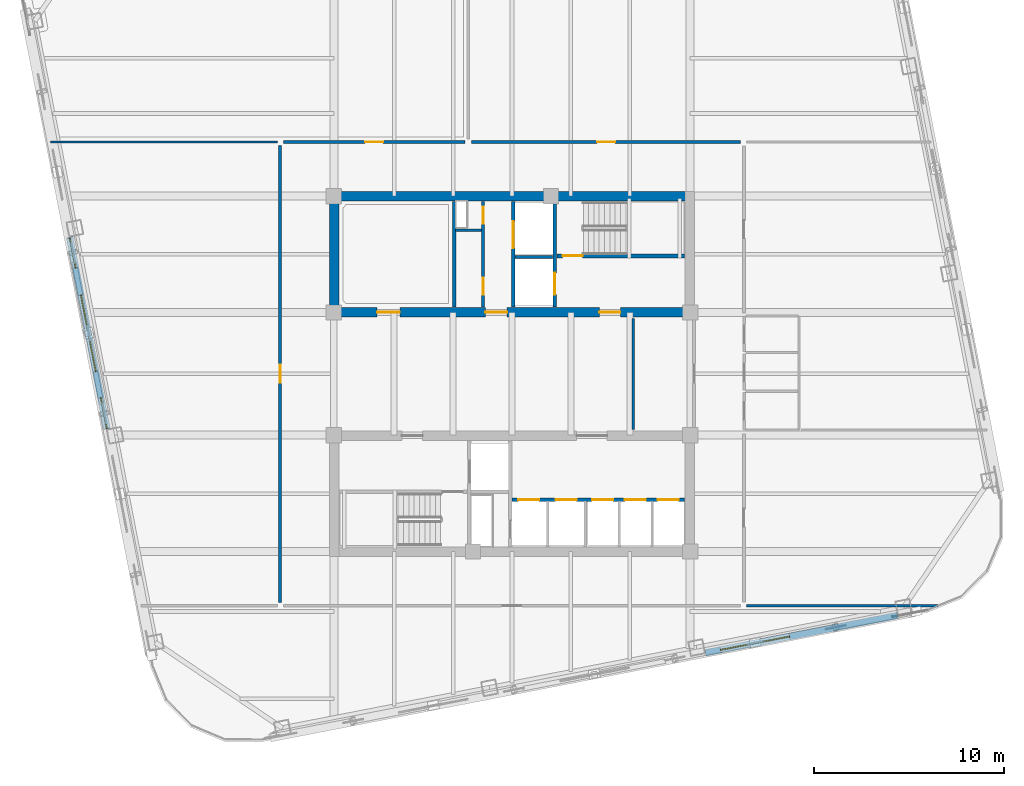
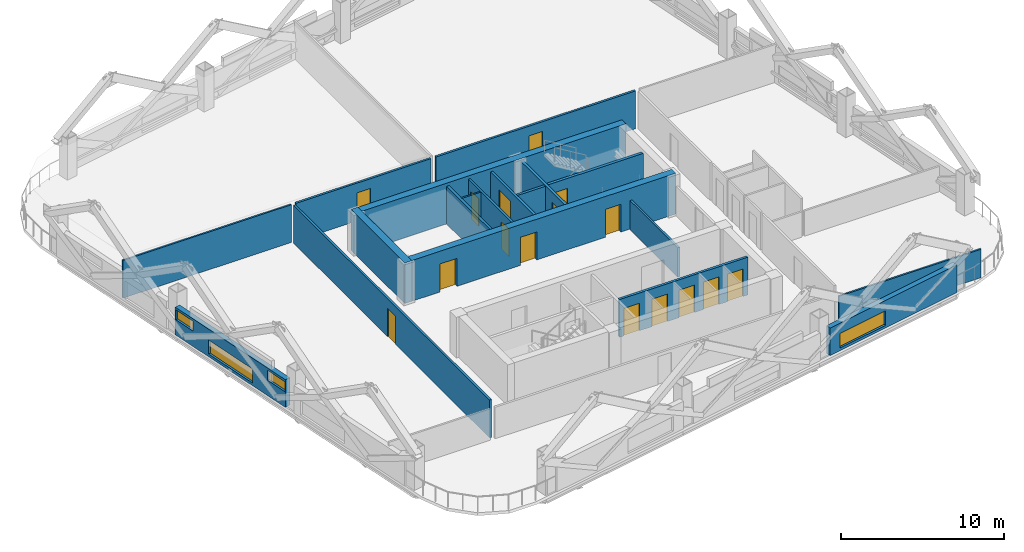
# One storey, part 5 of 10: 19 walls, 16 doors, 4 windows, 20 openings.
"""IFC4 building model written with IfcOpenShell, lengths in metres."""

from ifc_helpers import new_model, si_unit, direction, frame, frame_2d, origin, place, context, subcontext, project, spatial, rectangle, extrude, material, layer, layer_set, type_object, element, fill, save


model = new_model("IFC4")

# Units and contexts
model_context = context("Model", 3, precision=1e-05, world=origin(), true_north=direction((0.0, 1.0)))
body_context = subcontext(model_context, "Body", "Model", "MODEL_VIEW")
ifc_project = project(units=[si_unit("LENGTHUNIT", "METRE"), si_unit("AREAUNIT", "SQUARE_METRE"), si_unit("VOLUMEUNIT", "CUBIC_METRE"), si_unit("PLANEANGLEUNIT", "RADIAN"), si_unit("MASSUNIT", "GRAM", prefix="KILO")], contexts=[model_context])

# Site, building, storey
site_placement = place(None, origin())
site = spatial("IfcSite", under=ifc_project, at=site_placement, CompositionType="ELEMENT")
building_placement = place(site_placement, origin())
building = spatial("IfcBuilding", under=site, at=building_placement, Name="Qhalaya Broadcast Tower", CompositionType="ELEMENT")
storey_placement = place(building_placement, frame((0.0, 0.0, 118.89990234375)))
storey = spatial("IfcBuildingStorey", under=building, at=storey_placement, Name="L34", CompositionType="ELEMENT", Elevation=118.89990234375)

# Wall, openings, doors
ifc_material_1 = material(Name="Gypsum Acoustic Partition")
ifc_layer_1 = layer(ifc_material_1, 0.14990234375, Name="Gypsum Acoustic Partition")
ifc_layer_set_1 = layer_set([ifc_layer_1], Name="Gypsum Acoustic Partition")
wall_type_1 = type_object("IfcWallType", Name="Corridor & Tenancy Acoustic Partition 150", PredefinedType="PARTITIONING", material=ifc_layer_set_1)
wall_1_placement = place(storey_placement, frame((-1.52001953125, 4.1201171875, 0.0), z_axis=(0.0, 0.0, 1.0), x_axis=(0.0, 1.0, 0.0)))
wall_1 = element("IfcWall", 1, at=wall_1_placement, inside=storey, type_object=wall_type_1, Name="L34 Partition Wall NCW-SVL", PredefinedType="PARTITIONING", context=body_context, shape_type="SweptSolid", body=[
    extrude(rectangle(XDim=5.559814453125, YDim=0.14990234375, at=frame_2d((2.77978515625, 0.0))), origin(), (0.0, 0.0, 1.0), 2.830078125),
])
opening_1_placement = place(wall_1_placement, frame((4.3798828125, 0.0, 0.0)))
opening_1 = element("IfcOpeningElement", 2, at=opening_1_placement, cuts=wall_1, Name="Opening D06", PredefinedType="OPENING", context=body_context, shape_type="SweptSolid", body=[
    extrude(rectangle(XDim=0.89990234375, YDim=2.050048828125, at=frame_2d((0.449951171875, 1.02490234375))), frame((0.0, 0.0869140625, 0.0), z_axis=(0.0, -1.0, 0.0), x_axis=(1.0, 0.0, 0.0)), (0.0, 0.0, 1.0), 0.173828125),
])
opening_2_placement = place(wall_1_placement, frame((0.64990234375, 0.0, 0.0)))
opening_2 = element("IfcOpeningElement", 3, at=opening_2_placement, cuts=wall_1, Name="Opening D06", PredefinedType="OPENING", context=body_context, shape_type="SweptSolid", body=[
    extrude(rectangle(XDim=0.89990234375, YDim=2.050048828125, at=frame_2d((0.449951171875, 1.02490234375))), frame((0.0, 0.0869140625, 0.0), z_axis=(0.0, -1.0, 0.0), x_axis=(1.0, 0.0, 0.0)), (0.0, 0.0, 1.0), 0.173828125),
])
ifc_material_2 = material(Name="Fire-Rated Steel Door", Category="steel")
door_type_1 = type_object("IfcDoorType", Name="Riser & Electrical Shaft Access Door D06", OperationType="NOTDEFINED", PredefinedType="DOOR", material=ifc_material_2)
door_1_placement = place(opening_1_placement, origin())
door_1 = element("IfcDoor", 4, at=door_1_placement, inside=storey, type_object=door_type_1, Name="L34 Riser Shaft Access Door D-NRSR", OperationType="SINGLE_SWING_RIGHT", OverallHeight=2.050048828125, OverallWidth=0.89990234375, PredefinedType="DOOR", context=body_context, shape_type="SweptSolid", body=[
    extrude(rectangle(XDim=0.89990234375, YDim=2.050048828125, at=frame_2d((0.449951171875, 1.02490234375))), frame((0.0, 0.02490234375, 0.0), z_axis=(0.0, -1.0, 0.0), x_axis=(1.0, 0.0, 0.0)), (0.0, 0.0, 1.0), 0.050048828125),
])
fill(opening_1, door_1)
door_2_placement = place(opening_2_placement, origin())
door_2 = element("IfcDoor", 5, at=door_2_placement, inside=storey, type_object=door_type_1, Name="L34 Door D-NCST", OperationType="SINGLE_SWING_LEFT", OverallHeight=2.050048828125, OverallWidth=0.89990234375, PredefinedType="DOOR", context=body_context, shape_type="SweptSolid", body=[
    extrude(rectangle(XDim=0.89990234375, YDim=2.050048828125, at=frame_2d((0.449951171875, 1.02490234375))), frame((0.0, 0.02490234375, 0.0), z_axis=(0.0, -1.0, 0.0), x_axis=(1.0, 0.0, 0.0)), (0.0, 0.0, 1.0), 0.050048828125),
])
fill(opening_2, door_2)

# Wall
wall_2_placement = place(storey_placement, frame((6.3798828125, -2.320068359375, 0.0), z_axis=(0.0, 0.0, 1.0), x_axis=(0.0, 1.0, 0.0)))
element("IfcWall", 6, at=wall_2_placement, inside=storey, type_object=wall_type_1, Name="L34 Partition Wall W-ICHW", PredefinedType="PARTITIONING", context=body_context, shape_type="SweptSolid", body=[
    extrude(rectangle(XDim=5.840087890625, YDim=0.14990234375, at=frame_2d((2.919921875, 0.0))), origin(), (0.0, 0.0, 1.0), 2.197998046875),
])

# Wall, opening, door
wall_3_placement = place(storey_placement, frame((-12.02001953125, 12.800048828125, 0.0), z_axis=(0.0, 0.0, 1.0), x_axis=(1.0, 0.0, 0.0)))
wall_3 = element("IfcWall", 7, at=wall_3_placement, inside=storey, type_object=wall_type_1, Name="L34 Partition Wall W-COR-01", PredefinedType="PARTITIONING", context=body_context, shape_type="SweptSolid", body=[
    extrude(rectangle(XDim=9.5400390625, YDim=0.14990234375, at=frame_2d((4.77001953125, 0.0))), origin(), (0.0, 0.0, 1.0), 2.830078125),
])
opening_3_placement = place(wall_3_placement, frame((4.294921875, 0.0, 0.0)))
opening_3 = element("IfcOpeningElement", 8, at=opening_3_placement, cuts=wall_3, Name="Opening D10", PredefinedType="OPENING", context=body_context, shape_type="SweptSolid", body=[
    extrude(rectangle(XDim=0.949951171875, YDim=2.10009765625, at=frame_2d((0.47509765625, 1.050048828125))), frame((0.0, 0.0869140625, 0.0), z_axis=(0.0, -1.0, 0.0), x_axis=(1.0, 0.0, 0.0)), (0.0, 0.0, 1.0), 0.173828125),
])
ifc_material_3 = material(Name="Timber Veneer Acoustic Door", Category="wood")
door_type_2 = type_object("IfcDoorType", Name="Cellular Office & Edit Booth Door D10", OperationType="NOTDEFINED", PredefinedType="DOOR", material=ifc_material_3)
door_3_placement = place(opening_3_placement, origin())
door_3 = element("IfcDoor", 9, at=door_3_placement, inside=storey, type_object=door_type_2, Name="L34 Door D-RM01", OperationType="SINGLE_SWING_RIGHT", OverallHeight=2.10009765625, OverallWidth=0.949951171875, PredefinedType="DOOR", context=body_context, shape_type="SweptSolid", body=[
    extrude(rectangle(XDim=0.949951171875, YDim=2.10009765625, at=frame_2d((0.47509765625, 1.050048828125))), frame((0.0, 0.02490234375, 0.0), z_axis=(0.0, -1.0, 0.0), x_axis=(1.0, 0.0, 0.0)), (0.0, 0.0, 1.0), 0.050048828125),
])
fill(opening_3, door_3)

wall_4_placement = place(storey_placement, frame((-2.1201171875, 12.800048828125, 0.0), z_axis=(0.0, 0.0, 1.0), x_axis=(1.0, 0.0, 0.0)))
wall_4 = element("IfcWall", 10, at=wall_4_placement, inside=storey, type_object=wall_type_1, Name="L34 Partition Wall W-COR-02", PredefinedType="PARTITIONING", context=body_context, shape_type="SweptSolid", body=[
    extrude(rectangle(XDim=14.14013671875, YDim=0.14990234375, at=frame_2d((7.070068359375, 0.0))), origin(), (0.0, 0.0, 1.0), 2.830078125),
])
opening_4_placement = place(wall_4_placement, frame((6.594970703125, 0.0, 0.0)))
opening_4 = element("IfcOpeningElement", 11, at=opening_4_placement, cuts=wall_4, Name="Opening D10", PredefinedType="OPENING", context=body_context, shape_type="SweptSolid", body=[
    extrude(rectangle(XDim=0.949951171875, YDim=2.10009765625, at=frame_2d((0.47509765625, 1.050048828125))), frame((0.0, 0.0869140625, 0.0), z_axis=(0.0, -1.0, 0.0), x_axis=(1.0, 0.0, 0.0)), (0.0, 0.0, 1.0), 0.173828125),
])
door_4_placement = place(opening_4_placement, origin())
door_4 = element("IfcDoor", 12, at=door_4_placement, inside=storey, type_object=door_type_2, Name="L34 Door D-RM02", OperationType="SINGLE_SWING_LEFT", OverallHeight=2.10009765625, OverallWidth=0.949951171875, PredefinedType="DOOR", context=body_context, shape_type="SweptSolid", body=[
    extrude(rectangle(XDim=0.949951171875, YDim=2.10009765625, at=frame_2d((0.47509765625, 1.050048828125))), frame((0.0, 0.02490234375, 0.0), z_axis=(0.0, -1.0, 0.0), x_axis=(1.0, 0.0, 0.0)), (0.0, 0.0, 1.0), 0.050048828125),
])
fill(opening_4, door_4)

wall_5_placement = place(storey_placement, frame((-12.199951171875, -11.419921875, 0.0), z_axis=(0.0, 0.0, 1.0), x_axis=(0.0, 1.0, 0.0)))
wall_5 = element("IfcWall", 13, at=wall_5_placement, inside=storey, type_object=wall_type_1, Name="L34 Partition Wall W-COR-04", PredefinedType="PARTITIONING", context=body_context, shape_type="SweptSolid", body=[
    extrude(rectangle(XDim=24.0400390625, YDim=0.14990234375, at=frame_2d((12.02001953125, 0.0))), origin(), (0.0, 0.0, 1.0), 2.830078125),
])
opening_5_placement = place(wall_5_placement, frame((11.544921875, 0.0, 0.0)))
opening_5 = element("IfcOpeningElement", 14, at=opening_5_placement, cuts=wall_5, Name="Opening D10", PredefinedType="OPENING", context=body_context, shape_type="SweptSolid", body=[
    extrude(rectangle(XDim=0.949951171875, YDim=2.10009765625, at=frame_2d((0.47509765625, 1.050048828125))), frame((0.0, 0.0869140625, 0.0), z_axis=(0.0, -1.0, 0.0), x_axis=(1.0, 0.0, 0.0)), (0.0, 0.0, 1.0), 0.173828125),
])
door_5_placement = place(opening_5_placement, origin())
door_5 = element("IfcDoor", 15, at=door_5_placement, inside=storey, type_object=door_type_2, Name="L34 Door D-RM04", OperationType="SINGLE_SWING_LEFT", OverallHeight=2.10009765625, OverallWidth=0.949951171875, PredefinedType="DOOR", context=body_context, shape_type="SweptSolid", body=[
    extrude(rectangle(XDim=0.949951171875, YDim=2.10009765625, at=frame_2d((0.47509765625, 1.050048828125))), frame((0.0, 0.02490234375, 0.0), z_axis=(0.0, -1.0, 0.0), x_axis=(1.0, 0.0, 0.0)), (0.0, 0.0, 1.0), 0.050048828125),
])
fill(opening_5, door_5)

# Wall, opening, window
ifc_material_4 = material(Name="Precast Concrete C40/50", Category="concrete")
ifc_layer_2 = layer(ifc_material_4, 0.360107421875, Name="Precast Concrete C40/50")
ifc_layer_set_2 = layer_set([ifc_layer_2], Name="Precast Concrete C40/50")
wall_type_2 = type_object("IfcWallType", Name="Insulated Precast Terracotta Exterior Wall 360", PredefinedType="SOLIDWALL", material=ifc_layer_set_2)
wall_6_placement = place(storey_placement, frame((20.29638671875, -12.10986328125, 0.0), z_axis=(0.0, 0.0, 1.0), x_axis=(-0.981628941133, -0.190799952646, 0.0)))
wall_6 = element("IfcWall", 16, at=wall_6_placement, inside=storey, type_object=wall_type_2, Name="L34 Exoskeleton Diagrid Infill Wall S1", PredefinedType="SOLIDWALL", context=body_context, shape_type="SweptSolid", body=[
    extrude(rectangle(XDim=10.31201171875, YDim=0.360107421875, at=frame_2d((5.156005859375, 0.0))), origin(), (0.0, 0.0, 1.0), 2.067138671875),
])
opening_6_placement = place(wall_6_placement, frame((5.800048828125, 0.0, 0.199951171875)))
opening_6 = element("IfcOpeningElement", 17, at=opening_6_placement, cuts=wall_6, Name="Opening W11", PredefinedType="OPENING", context=body_context, shape_type="SweptSolid", body=[
    extrude(rectangle(XDim=3.699951171875, YDim=1.10009765625, at=frame_2d((1.85009765625, 0.550048828125))), frame((0.0, 0.192138671875, 0.0), z_axis=(0.0, -1.0, 0.0), x_axis=(1.0, 0.0, 0.0)), (0.0, 0.0, 1.0), 0.384033203125),
])
ifc_material_5 = material(Name="Solar-Control Low-E Triple Glazing", Category="glass")
window_type = type_object("IfcWindowType", Name="Odd-Block Diagrid Infill Window W11", PartitioningType="SINGLE_PANEL", PredefinedType="WINDOW", material=ifc_material_5)
window_1_placement = place(opening_6_placement, origin())
window_1 = element("IfcWindow", 18, at=window_1_placement, inside=storey, type_object=window_type, Name="L34 Diagrid Infill Window W11-S1", OverallHeight=1.10009765625, OverallWidth=3.699951171875, PartitioningType="SINGLE_PANEL", PredefinedType="WINDOW", context=body_context, shape_type="SweptSolid", body=[
    extrude(rectangle(XDim=3.699951171875, YDim=1.10009765625, at=frame_2d((1.85009765625, 0.550048828125))), frame((0.0, 0.030029296875, 0.0), z_axis=(0.0, -1.0, 0.0), x_axis=(1.0, 0.0, 0.0)), (0.0, 0.0, 1.0), 0.06005859375),
])
fill(opening_6, window_1)

# Wall, openings, windows
wall_7_placement = place(storey_placement, frame((-21.31005859375, -2.30859375, 0.0), z_axis=(0.0, 0.0, 1.0), x_axis=(-0.190811924826, 0.981626614016, 0.0)))
wall_7 = element("IfcWall", 19, at=wall_7_placement, inside=storey, type_object=wall_type_2, Name="L34 Exoskeleton Diagrid Infill Wall W2", PredefinedType="SOLIDWALL", context=body_context, shape_type="SweptSolid", body=[
    extrude(rectangle(XDim=10.2998046875, YDim=0.360107421875, at=frame_2d((5.14990234375, 0.0))), origin(), (0.0, 0.0, 1.0), 2.067138671875),
])
opening_7_placement = place(wall_7_placement, frame((0.0380859375, 0.0, 1.14990234375)))
opening_7 = element("IfcOpeningElement", 20, at=opening_7_placement, cuts=wall_7, Name="Opening W11", PredefinedType="OPENING", context=body_context, shape_type="SweptSolid", body=[
    extrude(rectangle(XDim=1.64990234375, YDim=0.75, at=frame_2d((0.824951171875, 0.375))), frame((0.0, 0.192138671875, 0.0), z_axis=(0.0, -1.0, 0.0), x_axis=(1.0, 0.0, 0.0)), (0.0, 0.0, 1.0), 0.384033203125),
])
opening_8_placement = place(wall_7_placement, frame((3.087890625, 0.0, 0.199951171875)))
opening_8 = element("IfcOpeningElement", 21, at=opening_8_placement, cuts=wall_7, Name="Opening W11", PredefinedType="OPENING", context=body_context, shape_type="SweptSolid", body=[
    extrude(rectangle(XDim=4.10009765625, YDim=1.050048828125, at=frame_2d((2.050048828125, 0.52490234375))), frame((0.0, 0.192138671875, 0.0), z_axis=(0.0, -1.0, 0.0), x_axis=(1.0, 0.0, 0.0)), (0.0, 0.0, 1.0), 0.384033203125),
])
opening_9_placement = place(wall_7_placement, frame((8.637939453125, 0.0, 1.14990234375)))
opening_9 = element("IfcOpeningElement", 22, at=opening_9_placement, cuts=wall_7, Name="Opening W11", PredefinedType="OPENING", context=body_context, shape_type="SweptSolid", body=[
    extrude(rectangle(XDim=1.60009765625, YDim=0.75, at=frame_2d((0.800048828125, 0.375))), frame((0.0, 0.192138671875, 0.0), z_axis=(0.0, -1.0, 0.0), x_axis=(1.0, 0.0, 0.0)), (0.0, 0.0, 1.0), 0.384033203125),
])
window_2_placement = place(opening_7_placement, origin())
window_2 = element("IfcWindow", 23, at=window_2_placement, inside=storey, type_object=window_type, Name="L34 Diagrid Infill Window W11-W2", OverallHeight=0.75, OverallWidth=1.64990234375, PartitioningType="SINGLE_PANEL", PredefinedType="WINDOW", context=body_context, shape_type="SweptSolid", body=[
    extrude(rectangle(XDim=1.64990234375, YDim=0.75, at=frame_2d((0.824951171875, 0.375))), frame((0.0, 0.030029296875, 0.0), z_axis=(0.0, -1.0, 0.0), x_axis=(1.0, 0.0, 0.0)), (0.0, 0.0, 1.0), 0.06005859375),
])
fill(opening_7, window_2)
window_3_placement = place(opening_8_placement, origin())
window_3 = element("IfcWindow", 24, at=window_3_placement, inside=storey, type_object=window_type, Name="L34 Diagrid Infill Window W11-W3", OverallHeight=1.050048828125, OverallWidth=4.10009765625, PartitioningType="SINGLE_PANEL", PredefinedType="WINDOW", context=body_context, shape_type="SweptSolid", body=[
    extrude(rectangle(XDim=4.10009765625, YDim=1.050048828125, at=frame_2d((2.050048828125, 0.52490234375))), frame((0.0, 0.030029296875, 0.0), z_axis=(0.0, -1.0, 0.0), x_axis=(1.0, 0.0, 0.0)), (0.0, 0.0, 1.0), 0.06005859375),
])
fill(opening_8, window_3)
window_4_placement = place(opening_9_placement, origin())
window_4 = element("IfcWindow", 25, at=window_4_placement, inside=storey, type_object=window_type, Name="L34 Diagrid Infill Window W11-W4", OverallHeight=0.75, OverallWidth=1.60009765625, PartitioningType="SINGLE_PANEL", PredefinedType="WINDOW", context=body_context, shape_type="SweptSolid", body=[
    extrude(rectangle(XDim=1.60009765625, YDim=0.75, at=frame_2d((0.800048828125, 0.375))), frame((0.0, 0.030029296875, 0.0), z_axis=(0.0, -1.0, 0.0), x_axis=(1.0, 0.0, 0.0)), (0.0, 0.0, 1.0), 0.06005859375),
])
fill(opening_9, window_4)

# Wall, opening, door
ifc_material_6 = material(Name="Concrete C50/60", Category="concrete")
ifc_layer_3 = layer(ifc_material_6, 0.199951171875, Name="Concrete C50/60")
ifc_layer_set_3 = layer_set([ifc_layer_3], Name="Concrete C50/60")
wall_type_3 = type_object("IfcWallType", Name="Load-Bearing Stair Shaft Wall 200", PredefinedType="SHEAR", material=ifc_layer_set_3)
wall_8_placement = place(storey_placement, frame((2.360107421875, 6.804931640625, 0.0), z_axis=(0.0, 0.0, 1.0), x_axis=(1.0, 0.0, 0.0)))
wall_8 = element("IfcWall", 26, at=wall_8_placement, inside=storey, type_object=wall_type_3, Name="L34 Stair Core Shear Wall NCW-ST1", PredefinedType="SHEAR", context=body_context, shape_type="SweptSolid", body=[
    extrude(rectangle(XDim=6.719970703125, YDim=0.199951171875, at=frame_2d((3.35986328125, 0.0))), origin(), (0.0, 0.0, 1.0), 2.830078125),
])
opening_10_placement = place(wall_8_placement, frame((0.300048828125, 0.0, 0.0)))
opening_10 = element("IfcOpeningElement", 27, at=opening_10_placement, cuts=wall_8, Name="Opening D03", PredefinedType="OPENING", context=body_context, shape_type="SweptSolid", body=[
    extrude(rectangle(XDim=1.050048828125, YDim=2.080078125, at=frame_2d((0.52490234375, 1.0400390625))), frame((0.0, 0.112060546875, 0.0), z_axis=(0.0, -1.0, 0.0), x_axis=(1.0, 0.0, 0.0)), (0.0, 0.0, 1.0), 0.223876953125),
])
door_type_3 = type_object("IfcDoorType", Name="Core Stair Protected Fire Door D03", OperationType="NOTDEFINED", PredefinedType="DOOR", material=ifc_material_2)
door_6_placement = place(opening_10_placement, origin())
door_6 = element("IfcDoor", 28, at=door_6_placement, inside=storey, type_object=door_type_3, Name="L34 Door D-NST1", OperationType="SINGLE_SWING_LEFT", OverallHeight=2.080078125, OverallWidth=1.050048828125, PredefinedType="DOOR", context=body_context, shape_type="SweptSolid", body=[
    extrude(rectangle(XDim=1.050048828125, YDim=2.080078125, at=frame_2d((0.52490234375, 1.0400390625))), frame((0.0, 0.02490234375, 0.0), z_axis=(0.0, -1.0, 0.0), x_axis=(1.0, 0.0, 0.0)), (0.0, 0.0, 1.0), 0.050048828125),
])
fill(opening_10, door_6)

wall_9_placement = place(storey_placement, frame((2.25, 4.1201171875, 0.0), z_axis=(0.0, 0.0, 1.0), x_axis=(0.0, 1.0, 0.0)))
wall_9 = element("IfcWall", 29, at=wall_9_placement, inside=storey, type_object=wall_type_3, Name="L34 Stair Core Shear Wall NCW-FF", PredefinedType="SHEAR", context=body_context, shape_type="SweptSolid", body=[
    extrude(rectangle(XDim=5.559814453125, YDim=0.199951171875, at=frame_2d((2.77978515625, 0.0))), origin(), (0.0, 0.0, 1.0), 2.830078125),
])
opening_11_placement = place(wall_9_placement, frame((0.64990234375, 0.0, 0.0)))
opening_11 = element("IfcOpeningElement", 30, at=opening_11_placement, cuts=wall_9, Name="Opening LD2", PredefinedType="OPENING", context=body_context, shape_type="SweptSolid", body=[
    extrude(rectangle(XDim=1.14990234375, YDim=2.080078125, at=frame_2d((0.574951171875, 1.0400390625))), frame((0.0, 0.112060546875, 0.0), z_axis=(0.0, -1.0, 0.0), x_axis=(1.0, 0.0, 0.0)), (0.0, 0.0, 1.0), 0.223876953125),
])
ifc_material_7 = material(Name="Brushed Stainless Steel Lift Door", Category="steel")
door_type_4 = type_object("IfcDoorType", Name="Firefighting Lift Sliding Landing Door LD2", OperationType="DOUBLE_DOOR_SLIDING", PredefinedType="DOOR", material=ifc_material_7)
door_7_placement = place(opening_11_placement, origin())
door_7 = element("IfcDoor", 31, at=door_7_placement, inside=storey, type_object=door_type_4, Name="L34 Door LD-FF1", OperationType="DOUBLE_DOOR_SLIDING", OverallHeight=2.080078125, OverallWidth=1.14990234375, PredefinedType="DOOR", context=body_context, shape_type="SweptSolid", body=[
    extrude(rectangle(XDim=1.14990234375, YDim=2.080078125, at=frame_2d((0.574951171875, 1.0400390625))), frame((0.0, 0.02490234375, 0.0), z_axis=(0.0, -1.0, 0.0), x_axis=(1.0, 0.0, 0.0)), (0.0, 0.0, 1.0), 0.050048828125),
])
fill(opening_11, door_7)

# Wall
ifc_layer_4 = layer(ifc_material_6, 0.5, Name="Concrete C50/60")
ifc_layer_set_4 = layer_set([ifc_layer_4], Name="Concrete C50/60")
wall_type_4 = type_object("IfcWallType", Name="Mid Split-Core Shear Wall 500", PredefinedType="SHEAR", material=ifc_layer_set_4)
wall_10_placement = place(storey_placement, frame((-9.60009765625, 9.949951171875, 0.0), z_axis=(0.0, 0.0, 1.0), x_axis=(1.0, 0.0, 0.0)))
element("IfcWall", 32, at=wall_10_placement, inside=storey, type_object=wall_type_4, Name="L34 Split-Core Shear Wall CW-NN", PredefinedType="SHEAR", context=body_context, shape_type="SweptSolid", body=[
    extrude(rectangle(XDim=19.2001953125, YDim=0.5, at=frame_2d((9.60009765625, 0.0))), origin(), (0.0, 0.0, 1.0), 3.050048828125),
])

# Wall, openings, doors
wall_11_placement = place(storey_placement, frame((-9.60009765625, 3.85009765625, 0.0), z_axis=(0.0, 0.0, 1.0), x_axis=(1.0, 0.0, 0.0)))
wall_11 = element("IfcWall", 33, at=wall_11_placement, inside=storey, type_object=wall_type_4, Name="L34 Split-Core Shear Wall CW-NS", PredefinedType="SHEAR", context=body_context, shape_type="SweptSolid", body=[
    extrude(rectangle(XDim=19.2001953125, YDim=0.5, at=frame_2d((9.60009765625, 0.0))), origin(), (0.0, 0.0, 1.0), 3.050048828125),
])
opening_12_placement = place(wall_11_placement, frame((14.199951171875, 0.0, 0.0)))
opening_12 = element("IfcOpeningElement", 34, at=opening_12_placement, cuts=wall_11, Name="Opening D04", PredefinedType="OPENING", context=body_context, shape_type="SweptSolid", body=[
    extrude(rectangle(XDim=1.10009765625, YDim=2.080078125, at=frame_2d((0.550048828125, 1.0400390625))), frame((0.0, 0.261962890625, 0.0), z_axis=(0.0, -1.0, 0.0), x_axis=(1.0, 0.0, 0.0)), (0.0, 0.0, 1.0), 0.52392578125),
])
opening_13_placement = place(wall_11_placement, frame((8.199951171875, 0.0, 0.0)))
opening_13 = element("IfcOpeningElement", 35, at=opening_13_placement, cuts=wall_11, Name="Opening D05", PredefinedType="OPENING", context=body_context, shape_type="SweptSolid", body=[
    extrude(rectangle(XDim=1.14990234375, YDim=2.10009765625, at=frame_2d((0.574951171875, 1.050048828125))), frame((0.0, 0.261962890625, 0.0), z_axis=(0.0, -1.0, 0.0), x_axis=(1.0, 0.0, 0.0)), (0.0, 0.0, 1.0), 0.52392578125),
])
opening_14_placement = place(wall_11_placement, frame((2.5, 0.0, 0.0)))
opening_14 = element("IfcOpeningElement", 36, at=opening_14_placement, cuts=wall_11, Name="Opening D11", PredefinedType="OPENING", context=body_context, shape_type="SweptSolid", body=[
    extrude(rectangle(XDim=1.199951171875, YDim=2.10009765625, at=frame_2d((0.60009765625, 1.050048828125))), frame((0.0, 0.261962890625, 0.0), z_axis=(0.0, -1.0, 0.0), x_axis=(1.0, 0.0, 0.0)), (0.0, 0.0, 1.0), 0.52392578125),
])
ifc_material_8 = material(Name="Anodised Aluminium Glazed Door", Category="aluminium")
door_type_5 = type_object("IfcDoorType", Name="Conference, Boardroom & Studio Control Door D11", OperationType="NOTDEFINED", PredefinedType="DOOR", material=ifc_material_8)
door_8_placement = place(opening_14_placement, origin())
door_8 = element("IfcDoor", 37, at=door_8_placement, inside=storey, type_object=door_type_5, Name="L34 Door D-NREC1", OperationType="SINGLE_SWING_LEFT", OverallHeight=2.10009765625, OverallWidth=1.199951171875, PredefinedType="DOOR", context=body_context, shape_type="SweptSolid", body=[
    extrude(rectangle(XDim=1.199951171875, YDim=2.10009765625, at=frame_2d((0.60009765625, 1.050048828125))), frame((0.0, 0.02490234375, 0.0), z_axis=(0.0, -1.0, 0.0), x_axis=(1.0, 0.0, 0.0)), (0.0, 0.0, 1.0), 0.050048828125),
])
fill(opening_14, door_8)
door_type_6 = type_object("IfcDoorType", Name="Firefighting Lobby Rated Door D04", OperationType="NOTDEFINED", PredefinedType="DOOR", material=ifc_material_2)
door_9_placement = place(opening_12_placement, origin())
door_9 = element("IfcDoor", 38, at=door_9_placement, inside=storey, type_object=door_type_6, Name="L34 Door D-NFF", OperationType="SINGLE_SWING_RIGHT", OverallHeight=2.080078125, OverallWidth=1.10009765625, PredefinedType="DOOR", context=body_context, shape_type="SweptSolid", body=[
    extrude(rectangle(XDim=1.10009765625, YDim=2.080078125, at=frame_2d((0.550048828125, 1.0400390625))), frame((0.0, 0.02490234375, 0.0), z_axis=(0.0, -1.0, 0.0), x_axis=(1.0, 0.0, 0.0)), (0.0, 0.0, 1.0), 0.050048828125),
])
fill(opening_12, door_9)
door_type_7 = type_object("IfcDoorType", Name="Refuge & Plant Room Fire Door D05", OperationType="NOTDEFINED", PredefinedType="DOOR", material=ifc_material_2)
door_10_placement = place(opening_13_placement, origin())
door_10 = element("IfcDoor", 39, at=door_10_placement, inside=storey, type_object=door_type_7, Name="L34 Door D-NSVL", OperationType="SINGLE_SWING_LEFT", OverallHeight=2.10009765625, OverallWidth=1.14990234375, PredefinedType="DOOR", context=body_context, shape_type="SweptSolid", body=[
    extrude(rectangle(XDim=1.14990234375, YDim=2.10009765625, at=frame_2d((0.574951171875, 1.050048828125))), frame((0.0, 0.02490234375, 0.0), z_axis=(0.0, -1.0, 0.0), x_axis=(1.0, 0.0, 0.0)), (0.0, 0.0, 1.0), 0.050048828125),
])
fill(opening_13, door_10)

# Walls
wall_12_placement = place(storey_placement, frame((-9.35009765625, 3.60009765625, 0.0), z_axis=(0.0, 0.0, 1.0), x_axis=(0.0, 1.0, 0.0)))
element("IfcWall", 40, at=wall_12_placement, inside=storey, type_object=wall_type_4, Name="L34 Split-Core Shear Wall CW-NW", PredefinedType="SHEAR", context=body_context, shape_type="SweptSolid", body=[
    extrude(rectangle(XDim=6.599853515625, YDim=0.5, at=frame_2d((3.2998046875, 0.0))), origin(), (0.0, 0.0, 1.0), 3.050048828125),
])
ifc_layer_5 = layer(ifc_material_1, 0.1201171875, Name="Gypsum Acoustic Partition")
ifc_layer_set_5 = layer_set([ifc_layer_5], Name="Gypsum Acoustic Partition")
wall_type_5 = type_object("IfcWallType", Name="Office, Booth & Sanitary Partition 120", PredefinedType="PARTITIONING", material=ifc_layer_set_5)
wall_13_placement = place(storey_placement, frame((-2.9599609375, 8.14990234375, 0.0), z_axis=(0.0, 0.0, 1.0), x_axis=(1.0, 0.0, 0.0)))
element("IfcWall", 41, at=wall_13_placement, inside=storey, type_object=wall_type_5, Name="L34 Partition Wall NCW-VA", PredefinedType="PARTITIONING", context=body_context, shape_type="SweptSolid", body=[
    extrude(rectangle(XDim=1.35986328125, YDim=0.1201171875, at=frame_2d((0.679931640625, 0.0))), origin(), (0.0, 0.0, 1.0), 2.830078125),
])
wall_14_placement = place(storey_placement, frame((-24.267333984375, 12.800048828125, 0.0), z_axis=(0.0, 0.0, 1.0), x_axis=(1.0, 0.0, 0.0)))
element("IfcWall", 42, at=wall_14_placement, inside=storey, type_object=wall_type_5, Name="L34 Partition Wall W-BNDW1", PredefinedType="PARTITIONING", context=body_context, shape_type="SweptSolid", body=[
    extrude(rectangle(XDim=11.92724609375, YDim=0.1201171875, at=frame_2d((5.963623046875, 0.0))), origin(), (0.0, 0.0, 1.0), 2.830078125),
])
wall_15_placement = place(storey_placement, frame((12.340087890625, -11.60009765625, 0.0), z_axis=(0.0, 0.0, 1.0), x_axis=(1.0, 0.0, 0.0)))
element("IfcWall", 43, at=wall_15_placement, inside=storey, type_object=wall_type_5, Name="L34 Partition Wall W-BNDE2", PredefinedType="PARTITIONING", context=body_context, shape_type="SweptSolid", body=[
    extrude(rectangle(XDim=10.06640625, YDim=0.1201171875, at=frame_2d((5.033203125, 0.0))), origin(), (0.0, 0.0, 1.0), 2.127197265625),
])

# Wall, opening, door
ifc_layer_6 = layer(ifc_material_1, 0.175048828125, Name="Gypsum Acoustic Partition")
ifc_layer_set_6 = layer_set([ifc_layer_6], Name="Gypsum Acoustic Partition")
wall_type_6 = type_object("IfcWallType", Name="Shaft & Riser Fire Partition 175", PredefinedType="PARTITIONING", material=ifc_layer_set_6)
wall_16_placement = place(storey_placement, frame((0.06005859375, 4.1201171875, 0.0), z_axis=(0.0, 0.0, 1.0), x_axis=(0.0, 1.0, 0.0)))
wall_16 = element("IfcWall", 44, at=wall_16_placement, inside=storey, type_object=wall_type_6, Name="L34 Partition Wall NCW-SVW", PredefinedType="PARTITIONING", context=body_context, shape_type="SweptSolid", body=[
    extrude(rectangle(XDim=5.559814453125, YDim=0.175048828125, at=frame_2d((2.77978515625, 0.0))), origin(), (0.0, 0.0, 1.0), 2.830078125),
])
opening_15_placement = place(wall_16_placement, frame((3.10009765625, 0.0, 0.0)))
opening_15 = element("IfcOpeningElement", 45, at=opening_15_placement, cuts=wall_16, Name="Opening LD3", PredefinedType="OPENING", context=body_context, shape_type="SweptSolid", body=[
    extrude(rectangle(XDim=1.39990234375, YDim=2.1201171875, at=frame_2d((0.699951171875, 1.06005859375))), frame((0.0, 0.099609375, 0.0), z_axis=(0.0, -1.0, 0.0), x_axis=(1.0, 0.0, 0.0)), (0.0, 0.0, 1.0), 0.198974609375),
])
door_type_8 = type_object("IfcDoorType", Name="Service Lift Wide Sliding Landing Door LD3", OperationType="DOUBLE_DOOR_SLIDING", PredefinedType="DOOR", material=ifc_material_7)
door_11_placement = place(opening_15_placement, origin())
door_11 = element("IfcDoor", 46, at=door_11_placement, inside=storey, type_object=door_type_8, Name="L34 Door LD-SV1", OperationType="DOUBLE_DOOR_SLIDING", OverallHeight=2.1201171875, OverallWidth=1.39990234375, PredefinedType="DOOR", context=body_context, shape_type="SweptSolid", body=[
    extrude(rectangle(XDim=1.39990234375, YDim=2.1201171875, at=frame_2d((0.699951171875, 1.06005859375))), frame((0.0, 0.02490234375, 0.0), z_axis=(0.0, -1.0, 0.0), x_axis=(1.0, 0.0, 0.0)), (0.0, 0.0, 1.0), 0.050048828125),
])
fill(opening_15, door_11)

# Walls
wall_17_placement = place(storey_placement, frame((0.159912109375, 6.75, 0.0), z_axis=(0.0, 0.0, 1.0), x_axis=(1.0, 0.0, 0.0)))
element("IfcWall", 47, at=wall_17_placement, inside=storey, type_object=wall_type_6, Name="L34 Partition Wall NCW-SVM", PredefinedType="PARTITIONING", context=body_context, shape_type="SweptSolid", body=[
    extrude(rectangle(XDim=1.97998046875, YDim=0.175048828125, at=frame_2d((0.989990234375, 0.0))), origin(), (0.0, 0.0, 1.0), 2.830078125),
])
wall_18_placement = place(storey_placement, frame((-3.0400390625, 4.1201171875, 0.0), z_axis=(0.0, 0.0, 1.0), x_axis=(0.0, 1.0, 0.0)))
element("IfcWall", 48, at=wall_18_placement, inside=storey, type_object=wall_type_6, Name="L34 Partition Wall NCW-VRW", PredefinedType="PARTITIONING", context=body_context, shape_type="SweptSolid", body=[
    extrude(rectangle(XDim=5.559814453125, YDim=0.175048828125, at=frame_2d((2.77978515625, 0.0))), origin(), (0.0, 0.0, 1.0), 2.830078125),
])

# Wall, openings, doors
wall_19_placement = place(storey_placement, frame((0.0, -6.02001953125, 0.0), z_axis=(0.0, 0.0, 1.0), x_axis=(1.0, 0.0, 0.0)))
wall_19 = element("IfcWall", 49, at=wall_19_placement, inside=storey, type_object=wall_type_6, Name="L34 Partition Wall SCW-SLB", PredefinedType="PARTITIONING", context=body_context, shape_type="SweptSolid", body=[
    extrude(rectangle(XDim=9.080078125, YDim=0.175048828125, at=frame_2d((4.5400390625, 0.0))), origin(), (0.0, 0.0, 1.0), 2.830078125),
])
opening_16_placement = place(wall_19_placement, frame((0.330078125, 0.0, 0.0)))
opening_16 = element("IfcOpeningElement", 50, at=opening_16_placement, cuts=wall_19, Name="Opening LD1", PredefinedType="OPENING", context=body_context, shape_type="SweptSolid", body=[
    extrude(rectangle(XDim=1.10009765625, YDim=2.06005859375, at=frame_2d((0.550048828125, 1.030029296875))), frame((0.0, 0.099609375, 0.0), z_axis=(0.0, -1.0, 0.0), x_axis=(1.0, 0.0, 0.0)), (0.0, 0.0, 1.0), 0.198974609375),
])
opening_17_placement = place(wall_19_placement, frame((2.300048828125, 0.0, 0.0)))
opening_17 = element("IfcOpeningElement", 51, at=opening_17_placement, cuts=wall_19, Name="Opening LD1", PredefinedType="OPENING", context=body_context, shape_type="SweptSolid", body=[
    extrude(rectangle(XDim=1.10009765625, YDim=2.06005859375, at=frame_2d((0.550048828125, 1.030029296875))), frame((0.0, 0.099609375, 0.0), z_axis=(0.0, -1.0, 0.0), x_axis=(1.0, 0.0, 0.0)), (0.0, 0.0, 1.0), 0.198974609375),
])
opening_18_placement = place(wall_19_placement, frame((4.219970703125, 0.0, 0.0)))
opening_18 = element("IfcOpeningElement", 52, at=opening_18_placement, cuts=wall_19, Name="Opening LD1", PredefinedType="OPENING", context=body_context, shape_type="SweptSolid", body=[
    extrude(rectangle(XDim=1.10009765625, YDim=2.06005859375, at=frame_2d((0.550048828125, 1.030029296875))), frame((0.0, 0.099609375, 0.0), z_axis=(0.0, -1.0, 0.0), x_axis=(1.0, 0.0, 0.0)), (0.0, 0.0, 1.0), 0.198974609375),
])
opening_19_placement = place(wall_19_placement, frame((5.93994140625, 0.0, 0.0)))
opening_19 = element("IfcOpeningElement", 53, at=opening_19_placement, cuts=wall_19, Name="Opening LD1", PredefinedType="OPENING", context=body_context, shape_type="SweptSolid", body=[
    extrude(rectangle(XDim=1.10009765625, YDim=2.06005859375, at=frame_2d((0.550048828125, 1.030029296875))), frame((0.0, 0.099609375, 0.0), z_axis=(0.0, -1.0, 0.0), x_axis=(1.0, 0.0, 0.0)), (0.0, 0.0, 1.0), 0.198974609375),
])
opening_20_placement = place(wall_19_placement, frame((7.659912109375, 0.0, 0.0)))
opening_20 = element("IfcOpeningElement", 54, at=opening_20_placement, cuts=wall_19, Name="Opening LD1", PredefinedType="OPENING", context=body_context, shape_type="SweptSolid", body=[
    extrude(rectangle(XDim=1.10009765625, YDim=2.06005859375, at=frame_2d((0.550048828125, 1.030029296875))), frame((0.0, 0.099609375, 0.0), z_axis=(0.0, -1.0, 0.0), x_axis=(1.0, 0.0, 0.0)), (0.0, 0.0, 1.0), 0.198974609375),
])
door_type_9 = type_object("IfcDoorType", Name="Passenger Lift Sliding Landing Door LD1", OperationType="DOUBLE_DOOR_SLIDING", PredefinedType="DOOR", material=ifc_material_7)
door_12_placement = place(opening_16_placement, origin())
door_12 = element("IfcDoor", 55, at=door_12_placement, inside=storey, type_object=door_type_9, Name="L34 Door LD-P4", OperationType="DOUBLE_DOOR_SLIDING", OverallHeight=2.06005859375, OverallWidth=1.10009765625, PredefinedType="DOOR", context=body_context, shape_type="SweptSolid", body=[
    extrude(rectangle(XDim=1.10009765625, YDim=2.06005859375, at=frame_2d((0.550048828125, 1.030029296875))), frame((0.0, 0.02490234375, 0.0), z_axis=(0.0, -1.0, 0.0), x_axis=(1.0, 0.0, 0.0)), (0.0, 0.0, 1.0), 0.050048828125),
])
fill(opening_16, door_12)
door_13_placement = place(opening_17_placement, origin())
door_13 = element("IfcDoor", 56, at=door_13_placement, inside=storey, type_object=door_type_9, Name="L34 Door LD-P5", OperationType="DOUBLE_DOOR_SLIDING", OverallHeight=2.06005859375, OverallWidth=1.10009765625, PredefinedType="DOOR", context=body_context, shape_type="SweptSolid", body=[
    extrude(rectangle(XDim=1.10009765625, YDim=2.06005859375, at=frame_2d((0.550048828125, 1.030029296875))), frame((0.0, 0.02490234375, 0.0), z_axis=(0.0, -1.0, 0.0), x_axis=(1.0, 0.0, 0.0)), (0.0, 0.0, 1.0), 0.050048828125),
])
fill(opening_17, door_13)
door_14_placement = place(opening_18_placement, origin())
door_14 = element("IfcDoor", 57, at=door_14_placement, inside=storey, type_object=door_type_9, Name="L34 Door LD-P6", OperationType="DOUBLE_DOOR_SLIDING", OverallHeight=2.06005859375, OverallWidth=1.10009765625, PredefinedType="DOOR", context=body_context, shape_type="SweptSolid", body=[
    extrude(rectangle(XDim=1.10009765625, YDim=2.06005859375, at=frame_2d((0.550048828125, 1.030029296875))), frame((0.0, 0.02490234375, 0.0), z_axis=(0.0, -1.0, 0.0), x_axis=(1.0, 0.0, 0.0)), (0.0, 0.0, 1.0), 0.050048828125),
])
fill(opening_18, door_14)
door_15_placement = place(opening_19_placement, origin())
door_15 = element("IfcDoor", 58, at=door_15_placement, inside=storey, type_object=door_type_9, Name="L34 Door LD-P7", OperationType="DOUBLE_DOOR_SLIDING", OverallHeight=2.06005859375, OverallWidth=1.10009765625, PredefinedType="DOOR", context=body_context, shape_type="SweptSolid", body=[
    extrude(rectangle(XDim=1.10009765625, YDim=2.06005859375, at=frame_2d((0.550048828125, 1.030029296875))), frame((0.0, 0.02490234375, 0.0), z_axis=(0.0, -1.0, 0.0), x_axis=(1.0, 0.0, 0.0)), (0.0, 0.0, 1.0), 0.050048828125),
])
fill(opening_19, door_15)
door_16_placement = place(opening_20_placement, origin())
door_16 = element("IfcDoor", 59, at=door_16_placement, inside=storey, type_object=door_type_9, Name="L34 Door LD-P8", OperationType="DOUBLE_DOOR_SLIDING", OverallHeight=2.06005859375, OverallWidth=1.10009765625, PredefinedType="DOOR", context=body_context, shape_type="SweptSolid", body=[
    extrude(rectangle(XDim=1.10009765625, YDim=2.06005859375, at=frame_2d((0.550048828125, 1.030029296875))), frame((0.0, 0.02490234375, 0.0), z_axis=(0.0, -1.0, 0.0), x_axis=(1.0, 0.0, 0.0)), (0.0, 0.0, 1.0), 0.050048828125),
])
fill(opening_20, door_16)

save(model, "model.ifc")
